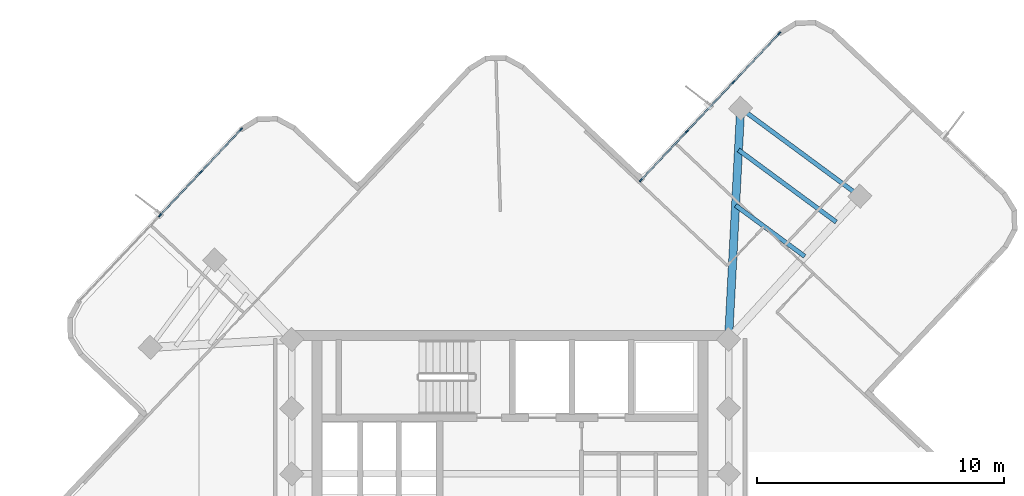
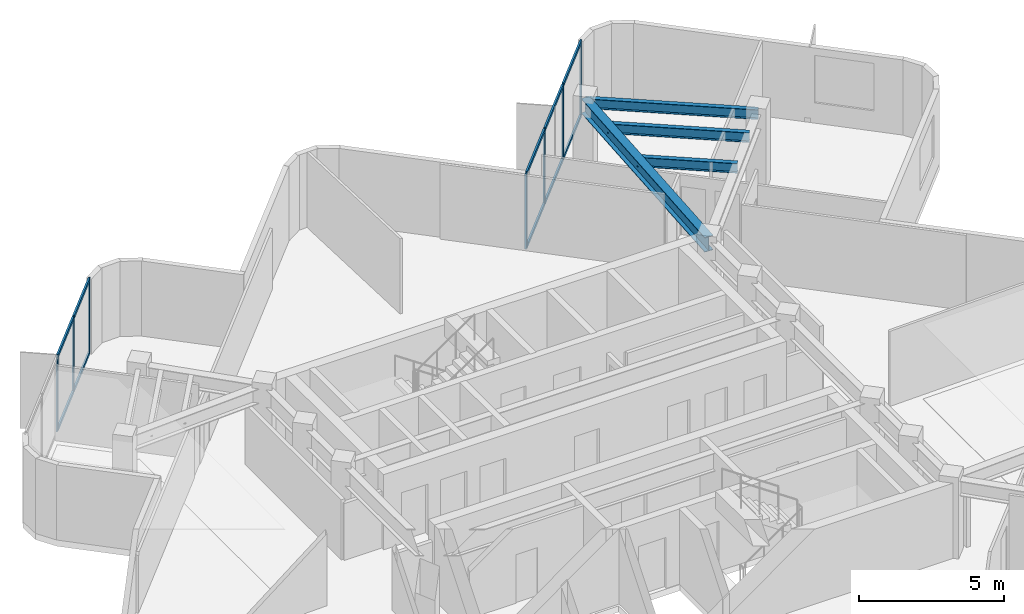
# One storey, part 4 of 10: 17 members, 4 beams, 2 elements without a shape of their own.
"""IFC4 building model written with IfcOpenShell, lengths in metres."""

from ifc_helpers import new_model, si_unit, direction, frame, origin, origin_2d, place, context, subcontext, project, spatial, rectangle, i_section, extrude, material, layer, layer_set, material_profile, profile_set, type_object, element, aggregate, save


model = new_model("IFC4")

# Units and contexts
model_context = context("Model", 3, precision=1e-05, world=origin(), true_north=direction((0.0, 1.0)))
body_context = subcontext(model_context, "Body", "Model", "MODEL_VIEW")
ifc_project = project(units=[si_unit("LENGTHUNIT", "METRE"), si_unit("AREAUNIT", "SQUARE_METRE"), si_unit("VOLUMEUNIT", "CUBIC_METRE"), si_unit("PLANEANGLEUNIT", "RADIAN"), si_unit("MASSUNIT", "GRAM", prefix="KILO")], contexts=[model_context])

# Site, building, storey
site_placement = place(None, origin())
site = spatial("IfcSite", under=ifc_project, at=site_placement, CompositionType="ELEMENT")
building_placement = place(site_placement, origin())
building = spatial("IfcBuilding", under=site, at=building_placement, Name="Solmarez Civic Tower", CompositionType="ELEMENT")
storey_placement = place(building_placement, frame((0.0, 0.0, 247.5)))
storey = spatial("IfcBuildingStorey", under=building, at=storey_placement, Name="L66", CompositionType="ELEMENT", Elevation=247.5)

# Beams
ifc_material_1 = material(Name="Steel S355", Category="steel")
ifc_material_profile_1 = material_profile(ifc_material_1, i_section(OverallWidth=0.178955078125, OverallDepth=0.409912109375, WebThickness=0.0087890625, FlangeThickness=0.014404296875, at=origin_2d()), Name="W16X45")
ifc_profile_set_1 = profile_set([ifc_material_profile_1], Name="Steel S355")
beam_type_1 = type_object("IfcBeamType", Name="BM-JS-W16X45", PredefinedType="JOIST", material=ifc_profile_set_1)
beam_1_placement = place(storey_placement, frame((14.1689453125, 14.152099609375, 2.955078125), z_axis=(-0.804687480311, 0.593698626434, 0.0), x_axis=(-0.593698626434, -0.804687480311, 0.0)))
element("IfcBeam", 1, at=beam_1_placement, inside=storey, type_object=beam_type_1, Name="L66 Secondary Floor Joist BM-L66-EA-T1", PredefinedType="JOIST", context=body_context, shape_type="SweptSolid", body=[
    extrude(i_section(OverallWidth=0.178955078125, OverallDepth=0.409912109375, WebThickness=0.0087890625, FlangeThickness=0.014404296875, at=origin_2d()), origin(), (0.0, 0.0, 1.0), 5.999755859375),
])
beam_2_placement = place(storey_placement, frame((11.93505859375, 11.715087890625, 2.955078125), z_axis=(-0.8046818189, 0.593706299724, 0.0), x_axis=(-0.593706299724, -0.8046818189, 0.0)))
element("IfcBeam", 2, at=beam_2_placement, inside=storey, type_object=beam_type_1, Name="L66 Secondary Floor Joist JS-L66-EA-M11", PredefinedType="JOIST", context=body_context, shape_type="SweptSolid", body=[
    extrude(i_section(OverallWidth=0.178955078125, OverallDepth=0.409912109375, WebThickness=0.0087890625, FlangeThickness=0.014404296875, at=origin_2d()), origin(), (0.0, 0.0, 1.0), 3.479736328125),
])
beam_3_placement = place(storey_placement, frame((13.2119140625, 13.10791015625, 2.955078125), z_axis=(-0.804762606031, 0.593596789019, 0.0), x_axis=(-0.593596789019, -0.804762606031, 0.0)))
element("IfcBeam", 3, at=beam_3_placement, inside=storey, type_object=beam_type_1, Name="L66 Secondary Floor Joist JS-L66-EA-M12", PredefinedType="JOIST", context=body_context, shape_type="SweptSolid", body=[
    extrude(i_section(OverallWidth=0.178955078125, OverallDepth=0.409912109375, WebThickness=0.0087890625, FlangeThickness=0.014404296875, at=origin_2d()), origin(), (0.0, 0.0, 1.0), 4.91943359375),
])
ifc_material_profile_2 = material_profile(ifc_material_1, i_section(OverallWidth=0.327880859375, OverallDepth=0.6220703125, WebThickness=0.015380859375, FlangeThickness=0.0244140625, at=origin_2d()), Name="W24X131")
ifc_profile_set_2 = profile_set([ifc_material_profile_2], Name="Steel S355")
beam_type_2 = type_object("IfcBeamType", Name="BM-PR-W24X131", PredefinedType="BEAM", material=ifc_profile_set_2)
beam_4_placement = place(storey_placement, frame((8.85009765625, 8.35009765625, 2.84912109375), z_axis=(0.052359315135, 0.998628310293, 0.0), x_axis=(-0.998628310293, 0.052359315135, 0.0)))
element("IfcBeam", 4, at=beam_4_placement, inside=storey, type_object=beam_type_2, Name="L66 Primary Floor Beam BM-L66-EA-R1B", PredefinedType="BEAM", context=body_context, shape_type="SweptSolid", body=[
    extrude(i_section(OverallWidth=0.327880859375, OverallDepth=0.6220703125, WebThickness=0.015380859375, FlangeThickness=0.0244140625, at=origin_2d()), origin(), (0.0, 0.0, 1.0), 9.376953125),
])

# Curtain wall, members
ifc_material_2 = material(Name="Bronze Anodised Aluminium EN AW-6063 T6", Category="aluminium")
ifc_layer = layer(ifc_material_2, 0.1650390625)
ifc_layer_set = layer_set([ifc_layer], Name="Bronze Anodised Aluminium EN AW-6063 T6")
curtain_wall_type = type_object("IfcCurtainWallType", Name="CW-SYS-4", PredefinedType="NOTDEFINED", material=ifc_layer_set)
curtain_wall_1_placement = place(storey_placement, origin())
curtain_wall_1 = element("IfcCurtainWall", 5, at=curtain_wall_1_placement, inside=storey, type_object=curtain_wall_type, Name="L66 Stick-Built Curtain Wall 1", PredefinedType="NOTDEFINED")
ifc_material_profile_3 = material_profile(ifc_material_2, rectangle(XDim=0.06005859375, YDim=0.14990234375, at=origin_2d()), Name="CWM-60X150")
ifc_profile_set_3 = profile_set([ifc_material_profile_3], Name="Bronze Anodised Aluminium EN AW-6063 T6")
member_type_1 = type_object("IfcMemberType", Name="CWM-TYPE-4", PredefinedType="MULLION", material=ifc_profile_set_3)
member_1_placement = place(storey_placement, frame((-14.18701171875, 13.37841796875, 0.0), z_axis=(0.0, 0.0, 1.0), x_axis=(-0.727534570371, 0.68607102323, 0.0)))
member_1 = element("IfcMember", 6, at=member_1_placement, type_object=member_type_1, Name="CWS4 mullion 3", PredefinedType="MULLION", context=body_context, shape_type="SweptSolid", body=[
    extrude(rectangle(XDim=0.06005859375, YDim=0.14990234375, at=origin_2d()), origin(), (0.0, 0.0, 1.0), 3.159912109375),
])
member_2_placement = place(storey_placement, frame((-12.53662109375, 15.128662109375, 0.0), z_axis=(0.0, 0.0, 1.0), x_axis=(-0.727534570371, 0.68607102323, 0.0)))
member_2 = element("IfcMember", 7, at=member_2_placement, type_object=member_type_1, Name="CWS4 mullion 4", PredefinedType="MULLION", context=body_context, shape_type="SweptSolid", body=[
    extrude(rectangle(XDim=0.06005859375, YDim=0.14990234375, at=origin_2d()), origin(), (0.0, 0.0, 1.0), 3.159912109375),
])
member_3_placement = place(storey_placement, frame((-10.906494140625, 16.857177734375, 0.0), z_axis=(0.0, 0.0, 1.0), x_axis=(-0.727534570371, 0.68607102323, 0.0)))
member_3 = element("IfcMember", 8, at=member_3_placement, type_object=member_type_1, Name="CWS4 mullion 5", PredefinedType="MULLION", context=body_context, shape_type="SweptSolid", body=[
    extrude(rectangle(XDim=0.06005859375, YDim=0.14990234375, at=origin_2d()), origin(), (0.0, 0.0, 1.0), 3.159912109375),
])

curtain_wall_2_placement = place(storey_placement, origin())
curtain_wall_2 = element("IfcCurtainWall", 9, at=curtain_wall_2_placement, inside=storey, type_object=curtain_wall_type, Name="L66 Stick-Built Curtain Wall 2", PredefinedType="NOTDEFINED")
member_4_placement = place(storey_placement, frame((5.295654296875, 14.7998046875, 0.0), z_axis=(0.0, 0.0, 1.0), x_axis=(-0.727433648472, 0.6861780287, 0.0)))
member_4 = element("IfcMember", 10, at=member_4_placement, type_object=member_type_1, Name="CWS4 mullion 1", PredefinedType="MULLION", context=body_context, shape_type="SweptSolid", body=[
    extrude(rectangle(XDim=0.06005859375, YDim=0.14990234375, at=origin_2d()), origin(), (0.0, 0.0, 1.0), 3.159912109375),
])
member_5_placement = place(storey_placement, frame((7.159912109375, 16.7763671875, 0.0), z_axis=(0.0, 0.0, 1.0), x_axis=(-0.727433648472, 0.6861780287, 0.0)))
member_5 = element("IfcMember", 11, at=member_5_placement, type_object=member_type_1, Name="CWS4 mullion 2", PredefinedType="MULLION", context=body_context, shape_type="SweptSolid", body=[
    extrude(rectangle(XDim=0.06005859375, YDim=0.14990234375, at=origin_2d()), origin(), (0.0, 0.0, 1.0), 3.159912109375),
])
member_6_placement = place(storey_placement, frame((9.044921875, 18.774658203125, 0.0), z_axis=(0.0, 0.0, 1.0), x_axis=(-0.727433648472, 0.6861780287, 0.0)))
member_6 = element("IfcMember", 12, at=member_6_placement, type_object=member_type_1, Name="CWS4 mullion 3", PredefinedType="MULLION", context=body_context, shape_type="SweptSolid", body=[
    extrude(rectangle(XDim=0.06005859375, YDim=0.14990234375, at=origin_2d()), origin(), (0.0, 0.0, 1.0), 3.159912109375),
])
member_7_placement = place(storey_placement, frame((10.909423828125, 20.751220703125, 0.0), z_axis=(0.0, 0.0, 1.0), x_axis=(-0.727433648472, 0.6861780287, 0.0)))
member_7 = element("IfcMember", 13, at=member_7_placement, type_object=member_type_1, Name="CWS4 mullion 4", PredefinedType="MULLION", context=body_context, shape_type="SweptSolid", body=[
    extrude(rectangle(XDim=0.06005859375, YDim=0.14990234375, at=origin_2d()), origin(), (0.0, 0.0, 1.0), 3.159912109375),
])

# Member
ifc_material_profile_4 = material_profile(ifc_material_2, rectangle(XDim=0.070068359375, YDim=0.139892578125, at=origin_2d()), Name="CWT-70X140")
ifc_profile_set_4 = profile_set([ifc_material_profile_4], Name="Bronze Anodised Aluminium EN AW-6063 T6")
member_type_2 = type_object("IfcMemberType", Name="CWT-TYPE-1", PredefinedType="USERDEFINED", material=ifc_profile_set_4)
member_8_placement = place(storey_placement, frame((-14.16650390625, 13.400390625, 0.034912109375), z_axis=(0.686091576427, 0.72751518799, 0.0), x_axis=(-0.72751518799, 0.686091576427, 0.0)))
member_8 = element("IfcMember", 14, at=member_8_placement, type_object=member_type_2, Name="CWS4 transom 3.1", ObjectType="TRANSOM", PredefinedType="USERDEFINED", context=body_context, shape_type="SweptSolid", body=[
    extrude(rectangle(XDim=0.070068359375, YDim=0.139892578125, at=origin_2d()), origin(), (0.0, 0.0, 1.0), 2.345703125),
])

member_9_placement = place(storey_placement, frame((-14.16650390625, 13.400390625, 3.125), z_axis=(0.686091576427, 0.72751518799, 0.0), x_axis=(-0.72751518799, 0.686091576427, 0.0)))
member_9 = element("IfcMember", 15, at=member_9_placement, type_object=member_type_2, Name="CWS4 transom 3.2", ObjectType="TRANSOM", PredefinedType="USERDEFINED", context=body_context, shape_type="SweptSolid", body=[
    extrude(rectangle(XDim=0.070068359375, YDim=0.139892578125, at=origin_2d()), origin(), (0.0, 0.0, 1.0), 2.345703125),
])

member_10_placement = place(storey_placement, frame((-12.515869140625, 15.150634765625, 0.034912109375), z_axis=(0.686032004379, 0.727571363488, 0.0), x_axis=(-0.727571363488, 0.686032004379, 0.0)))
member_10 = element("IfcMember", 16, at=member_10_placement, type_object=member_type_2, Name="CWS4 transom 4.1", ObjectType="TRANSOM", PredefinedType="USERDEFINED", context=body_context, shape_type="SweptSolid", body=[
    extrude(rectangle(XDim=0.070068359375, YDim=0.139892578125, at=origin_2d()), origin(), (0.0, 0.0, 1.0), 2.315673828125),
])

member_11_placement = place(storey_placement, frame((-12.515869140625, 15.150634765625, 3.125), z_axis=(0.686032004379, 0.727571363488, 0.0), x_axis=(-0.727571363488, 0.686032004379, 0.0)))
member_11 = element("IfcMember", 17, at=member_11_placement, type_object=member_type_2, Name="CWS4 transom 4.2", ObjectType="TRANSOM", PredefinedType="USERDEFINED", context=body_context, shape_type="SweptSolid", body=[
    extrude(rectangle(XDim=0.070068359375, YDim=0.139892578125, at=origin_2d()), origin(), (0.0, 0.0, 1.0), 2.315673828125),
])

aggregate(curtain_wall_1, [member_1, member_2, member_3, member_8, member_9, member_10, member_11])

member_12_placement = place(storey_placement, frame((5.316162109375, 14.821533203125, 0.034912109375), z_axis=(0.686178231459, 0.727433457212, 0.0), x_axis=(-0.727433457212, 0.686178231459, 0.0)))
member_12 = element("IfcMember", 18, at=member_12_placement, type_object=member_type_2, Name="CWS4 transom 1.1", ObjectType="TRANSOM", PredefinedType="USERDEFINED", context=body_context, shape_type="SweptSolid", body=[
    extrude(rectangle(XDim=0.070068359375, YDim=0.139892578125, at=origin_2d()), origin(), (0.0, 0.0, 1.0), 2.656982421875),
])

member_13_placement = place(storey_placement, frame((5.316162109375, 14.821533203125, 3.125), z_axis=(0.686178231459, 0.727433457212, 0.0), x_axis=(-0.727433457212, 0.686178231459, 0.0)))
member_13 = element("IfcMember", 19, at=member_13_placement, type_object=member_type_2, Name="CWS4 transom 1.2", ObjectType="TRANSOM", PredefinedType="USERDEFINED", context=body_context, shape_type="SweptSolid", body=[
    extrude(rectangle(XDim=0.070068359375, YDim=0.139892578125, at=origin_2d()), origin(), (0.0, 0.0, 1.0), 2.656982421875),
])

member_14_placement = place(storey_placement, frame((7.1806640625, 16.798095703125, 0.034912109375), z_axis=(0.686135163484, 0.727474080246, 0.0), x_axis=(-0.727474080246, 0.686135163484, 0.0)))
member_14 = element("IfcMember", 20, at=member_14_placement, type_object=member_type_2, Name="CWS4 transom 2.1", ObjectType="TRANSOM", PredefinedType="USERDEFINED", context=body_context, shape_type="SweptSolid", body=[
    extrude(rectangle(XDim=0.070068359375, YDim=0.139892578125, at=origin_2d()), origin(), (0.0, 0.0, 1.0), 2.687255859375),
])

member_15_placement = place(storey_placement, frame((7.1806640625, 16.798095703125, 3.125), z_axis=(0.686135163484, 0.727474080246, 0.0), x_axis=(-0.727474080246, 0.686135163484, 0.0)))
member_15 = element("IfcMember", 21, at=member_15_placement, type_object=member_type_2, Name="CWS4 transom 2.2", ObjectType="TRANSOM", PredefinedType="USERDEFINED", context=body_context, shape_type="SweptSolid", body=[
    extrude(rectangle(XDim=0.070068359375, YDim=0.139892578125, at=origin_2d()), origin(), (0.0, 0.0, 1.0), 2.687255859375),
])

member_16_placement = place(storey_placement, frame((9.065673828125, 18.79638671875, 0.034912109375), z_axis=(0.686178231459, 0.727433457212, 0.0), x_axis=(-0.727433457212, 0.686178231459, 0.0)))
member_16 = element("IfcMember", 22, at=member_16_placement, type_object=member_type_2, Name="CWS4 transom 3.1", ObjectType="TRANSOM", PredefinedType="USERDEFINED", context=body_context, shape_type="SweptSolid", body=[
    extrude(rectangle(XDim=0.070068359375, YDim=0.139892578125, at=origin_2d()), origin(), (0.0, 0.0, 1.0), 2.656982421875),
])

member_17_placement = place(storey_placement, frame((9.065673828125, 18.79638671875, 3.125), z_axis=(0.686178231459, 0.727433457212, 0.0), x_axis=(-0.727433457212, 0.686178231459, 0.0)))
member_17 = element("IfcMember", 23, at=member_17_placement, type_object=member_type_2, Name="CWS4 transom 3.2", ObjectType="TRANSOM", PredefinedType="USERDEFINED", context=body_context, shape_type="SweptSolid", body=[
    extrude(rectangle(XDim=0.070068359375, YDim=0.139892578125, at=origin_2d()), origin(), (0.0, 0.0, 1.0), 2.656982421875),
])

aggregate(curtain_wall_2, [member_4, member_5, member_6, member_7, member_12, member_13, member_14, member_15, member_16, member_17])

save(model, "model.ifc")
